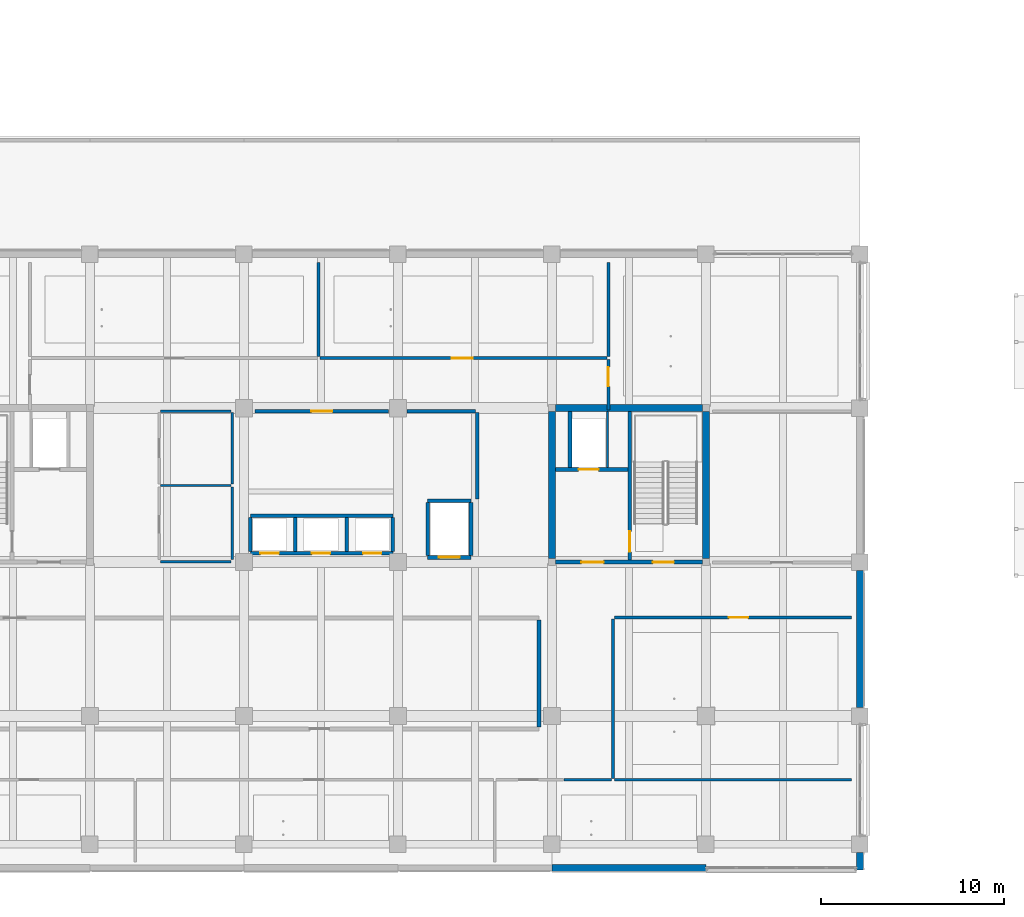
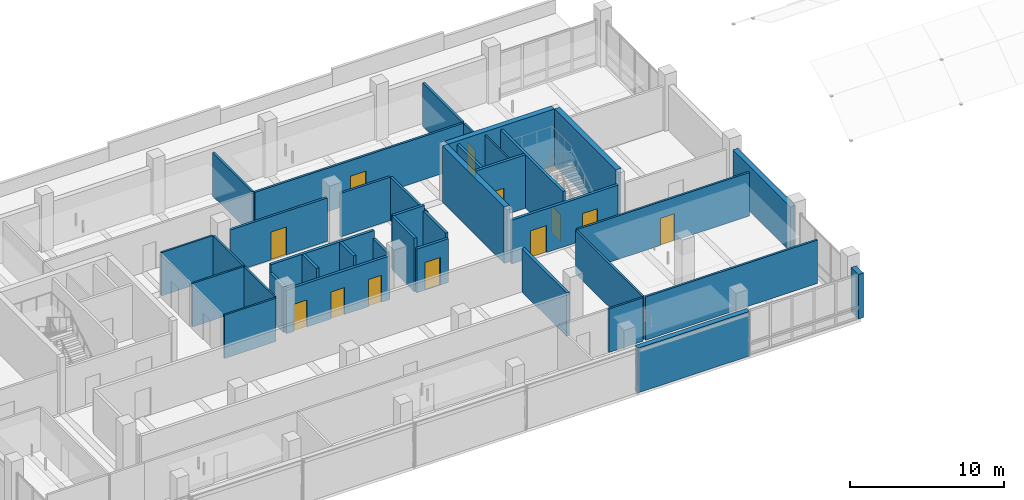
# One storey, part 22 of 59: 38 walls, 12 doors, 12 openings.
"""IFC4 building model written with IfcOpenShell, lengths in metres."""

from ifc_helpers import new_model, si_unit, direction, frame, frame_2d, origin, place, context, subcontext, project, spatial, rectangle, extrude, material, layer, layer_set, type_object, element, fill, save


model = new_model("IFC4")

# Units and contexts
model_context = context("Model", 3, precision=1e-05, world=origin(), true_north=direction((0.0, 1.0)))
body_context = subcontext(model_context, "Body", "Model", "MODEL_VIEW")
ifc_project = project(units=[si_unit("LENGTHUNIT", "METRE"), si_unit("AREAUNIT", "SQUARE_METRE"), si_unit("VOLUMEUNIT", "CUBIC_METRE"), si_unit("PLANEANGLEUNIT", "RADIAN"), si_unit("MASSUNIT", "GRAM", prefix="KILO")], contexts=[model_context])

# Site, building, storey
site_placement = place(None, origin())
site = spatial("IfcSite", under=ifc_project, at=site_placement, CompositionType="ELEMENT")
building_placement = place(site_placement, origin())
building = spatial("IfcBuilding", under=site, at=building_placement, Name="Telukmera Botanical Conservatory", CompositionType="ELEMENT")
storey_placement = place(building_placement, frame((0.0, 0.0, 15.0)))
storey = spatial("IfcBuildingStorey", under=building, at=storey_placement, Name="L03", CompositionType="ELEMENT", Elevation=15.0)

# Walls
ifc_material_1 = material(Name="Terracotta-faced precast concrete C40/50", Category="masonry")
ifc_layer_1 = layer(ifc_material_1, 0.3798828125)
ifc_layer_set_1 = layer_set([ifc_layer_1], Name="Terracotta-faced precast concrete C40/50")
wall_type_1 = type_object("IfcWallType", Name="Exterior Herbarium Vault Insulated Precast Wall 380", PredefinedType="SOLIDWALL", material=ifc_layer_set_1)
wall_1_placement = place(storey_placement, frame((109.199951171875, 9.199951171875, 0.0), z_axis=(0.0, 0.0, 1.0), x_axis=(0.0, 1.0, 0.0)))
element("IfcWall", 1, at=wall_1_placement, inside=storey, type_object=wall_type_1, Name="Exterior Precast Wall EW04 V4:L03:SEC", PredefinedType="SOLIDWALL", context=body_context, shape_type="SweptSolid", body=[
    extrude(rectangle(XDim=0.947998046875, YDim=0.3798828125, at=frame_2d((0.47412109375, 0.0))), origin(), (0.0, 0.0, 1.0), 3.550048828125),
])
wall_2_placement = place(storey_placement, frame((92.402099609375, 9.320068359375, 0.0), z_axis=(0.0, 0.0, 1.0), x_axis=(1.0, 0.0, 0.0)))
element("IfcWall", 2, at=wall_2_placement, inside=storey, type_object=wall_type_1, Name="Exterior Precast Wall EW04 V4:L03:S6", PredefinedType="SOLIDWALL", context=body_context, shape_type="SweptSolid", body=[
    extrude(rectangle(XDim=8.39599609375, YDim=0.3798828125, at=frame_2d((4.197998046875, 0.0))), origin(), (0.0, 0.0, 1.0), 3.550048828125),
])
wall_3_placement = place(storey_placement, frame((109.199951171875, 18.052001953125, 0.0), z_axis=(0.0, 0.0, 1.0), x_axis=(0.0, 1.0, 0.0)))
element("IfcWall", 3, at=wall_3_placement, inside=storey, type_object=wall_type_1, Name="Exterior Precast Wall EW04 V4:L03:E2", PredefinedType="SOLIDWALL", context=body_context, shape_type="SweptSolid", body=[
    extrude(rectangle(XDim=7.49609375, YDim=0.3798828125, at=frame_2d((3.748046875, 0.0))), origin(), (0.0, 0.0, 1.0), 3.550048828125),
])

# Wall, openings, doors
ifc_material_2 = material(Name="Concrete C40/50", Category="concrete")
ifc_layer_2 = layer(ifc_material_2, 0.199951171875)
ifc_layer_set_2 = layer_set([ifc_layer_2], Name="Concrete C40/50")
wall_type_2 = type_object("IfcWallType", Name="WT-CORE-200", PredefinedType="SOLIDWALL", material=ifc_layer_set_2)
wall_4_placement = place(storey_placement, frame((92.60009765625, 26.0, 0.0), z_axis=(0.0, 0.0, 1.0), x_axis=(1.0, 0.0, 0.0)))
wall_4 = element("IfcWall", 4, at=wall_4_placement, inside=storey, type_object=wall_type_2, Name="L03 Core C2 South Fire Wall", PredefinedType="SOLIDWALL", context=body_context, shape_type="SweptSolid", body=[
    extrude(rectangle(XDim=8.0, YDim=0.199951171875, at=frame_2d((4.0, 0.0))), origin(), (0.0, 0.0, 1.0), 3.47998046875),
])
opening_1_placement = place(wall_4_placement, frame((1.39990234375, 0.0, 0.0)))
opening_1 = element("IfcOpeningElement", 5, at=opening_1_placement, cuts=wall_4, Name="Opening FD60C", PredefinedType="OPENING", context=body_context, shape_type="SweptSolid", body=[
    extrude(rectangle(XDim=1.219970703125, YDim=2.14990234375, at=frame_2d((0.60986328125, 1.074951171875))), frame((0.0, 0.10986328125, 0.0), z_axis=(0.0, -1.0, 0.0), x_axis=(1.0, 0.0, 0.0)), (0.0, 0.0, 1.0), 0.219970703125),
])
opening_2_placement = place(wall_4_placement, frame((5.300048828125, 0.0, 0.0)))
opening_2 = element("IfcOpeningElement", 6, at=opening_2_placement, cuts=wall_4, Name="Opening FD60A", PredefinedType="OPENING", context=body_context, shape_type="SweptSolid", body=[
    extrude(rectangle(XDim=1.14990234375, YDim=2.14990234375, at=frame_2d((0.574951171875, 1.074951171875))), frame((0.0, 0.10986328125, 0.0), z_axis=(0.0, -1.0, 0.0), x_axis=(1.0, 0.0, 0.0)), (0.0, 0.0, 1.0), 0.219970703125),
])
ifc_material_3 = material(Name="Hardwood fire door", Category="wood")
door_type_1 = type_object("IfcDoorType", Name="DT-FD60-01", OperationType="NOTDEFINED", PredefinedType="DOOR", material=ifc_material_3)
door_1_placement = place(opening_2_placement, origin())
door_1 = element("IfcDoor", 7, at=door_1_placement, inside=storey, type_object=door_type_1, Name="L03 Stair ST2 Escape Door", OperationType="SINGLE_SWING_RIGHT", OverallHeight=2.14990234375, OverallWidth=1.14990234375, PredefinedType="DOOR", context=body_context, shape_type="SweptSolid", body=[
    extrude(rectangle(XDim=1.14990234375, YDim=2.14990234375, at=frame_2d((0.574951171875, 1.074951171875))), frame((0.0, 0.02490234375, 0.0), z_axis=(0.0, -1.0, 0.0), x_axis=(1.0, 0.0, 0.0)), (0.0, 0.0, 1.0), 0.050048828125),
])
fill(opening_2, door_1)
door_type_2 = type_object("IfcDoorType", Name="DT-FD60-03", OperationType="NOTDEFINED", PredefinedType="DOOR", material=ifc_material_3)
door_2_placement = place(opening_1_placement, origin())
door_2 = element("IfcDoor", 8, at=door_2_placement, inside=storey, type_object=door_type_2, Name="L03 Firefighting Lobby C2 Door", OperationType="SINGLE_SWING_LEFT", OverallHeight=2.14990234375, OverallWidth=1.219970703125, PredefinedType="DOOR", context=body_context, shape_type="SweptSolid", body=[
    extrude(rectangle(XDim=1.219970703125, YDim=2.14990234375, at=frame_2d((0.60986328125, 1.074951171875))), frame((0.0, 0.02490234375, 0.0), z_axis=(0.0, -1.0, 0.0), x_axis=(1.0, 0.0, 0.0)), (0.0, 0.0, 1.0), 0.050048828125),
])
fill(opening_1, door_2)

# Wall, opening, door
wall_5_placement = place(storey_placement, frame((96.64990234375, 26.10009765625, 0.0), z_axis=(0.0, 0.0, 1.0), x_axis=(0.0, 1.0, 0.0)))
wall_5 = element("IfcWall", 9, at=wall_5_placement, inside=storey, type_object=wall_type_2, Name="L03 Core C2 Stair-Lobby Wall", PredefinedType="SOLIDWALL", context=body_context, shape_type="SweptSolid", body=[
    extrude(rectangle(XDim=8.099853515625, YDim=0.199951171875, at=frame_2d((4.0498046875, 0.0))), origin(), (0.0, 0.0, 1.0), 4.25),
])
opening_3_placement = place(wall_5_placement, frame((0.449951171875, 0.0, 0.0)))
opening_3 = element("IfcOpeningElement", 10, at=opening_3_placement, cuts=wall_5, Name="Opening FD60B", PredefinedType="OPENING", context=body_context, shape_type="SweptSolid", body=[
    extrude(rectangle(XDim=1.1201171875, YDim=2.14990234375, at=frame_2d((0.56005859375, 1.074951171875))), frame((0.0, 0.10986328125, 0.0), z_axis=(0.0, -1.0, 0.0), x_axis=(1.0, 0.0, 0.0)), (0.0, 0.0, 1.0), 0.219970703125),
])
door_type_3 = type_object("IfcDoorType", Name="DT-FD60-02", OperationType="NOTDEFINED", PredefinedType="DOOR", material=ifc_material_3)
door_3_placement = place(opening_3_placement, frame((1.1201171875, 0.0, 0.0), z_axis=(0.0, 0.0, 1.0), x_axis=(-1.0, 0.0, 0.0)))
door_3 = element("IfcDoor", 11, at=door_3_placement, inside=storey, type_object=door_type_3, Name="L03 Firefighting Lobby C2 to ST2 Door", OperationType="SINGLE_SWING_LEFT", OverallHeight=2.14990234375, OverallWidth=1.1201171875, PredefinedType="DOOR", context=body_context, shape_type="SweptSolid", body=[
    extrude(rectangle(XDim=1.1201171875, YDim=2.14990234375, at=frame_2d((0.56005859375, 1.074951171875))), frame((0.0, 0.02490234375, 0.0), z_axis=(0.0, -1.0, 0.0), x_axis=(1.0, 0.0, 0.0)), (0.0, 0.0, 1.0), 0.050048828125),
])
fill(opening_3, door_3)

wall_6_placement = place(storey_placement, frame((92.60009765625, 31.050048828125, 0.0), z_axis=(0.0, 0.0, 1.0), x_axis=(1.0, 0.0, 0.0)))
wall_6 = element("IfcWall", 12, at=wall_6_placement, inside=storey, type_object=wall_type_2, Name="L03 Fire Lift FL2 Shaft Front Wall", PredefinedType="SOLIDWALL", context=body_context, shape_type="SweptSolid", body=[
    extrude(rectangle(XDim=3.949951171875, YDim=0.199951171875, at=frame_2d((1.97509765625, 0.0))), origin(), (0.0, 0.0, 1.0), 4.25),
])
opening_4_placement = place(wall_6_placement, frame((1.25, 0.0, 0.0)))
opening_4 = element("IfcOpeningElement", 13, at=opening_4_placement, cuts=wall_6, Name="Opening LD01", PredefinedType="OPENING", context=body_context, shape_type="SweptSolid", body=[
    extrude(rectangle(XDim=1.10009765625, YDim=2.14990234375, at=frame_2d((0.550048828125, 1.074951171875))), frame((0.0, 0.10986328125, 0.0), z_axis=(0.0, -1.0, 0.0), x_axis=(1.0, 0.0, 0.0)), (0.0, 0.0, 1.0), 0.219970703125),
])
ifc_material_4 = material(Name="Stainless steel 316", Category="steel")
door_type_4 = type_object("IfcDoorType", Name="DT-LD01", OperationType="SLIDING_TO_LEFT", PredefinedType="DOOR", material=ifc_material_4)
door_4_placement = place(opening_4_placement, frame((1.10009765625, 0.0, 0.0), z_axis=(0.0, 0.0, 1.0), x_axis=(-1.0, 0.0, 0.0)))
door_4 = element("IfcDoor", 14, at=door_4_placement, inside=storey, type_object=door_type_4, Name="L03 Lift Landing Door FL2", OperationType="SLIDING_TO_LEFT", OverallHeight=2.14990234375, OverallWidth=1.10009765625, PredefinedType="DOOR", context=body_context, shape_type="SweptSolid", body=[
    extrude(rectangle(XDim=1.10009765625, YDim=2.14990234375, at=frame_2d((0.550048828125, 1.074951171875))), frame((0.0, 0.02490234375, 0.0), z_axis=(0.0, -1.0, 0.0), x_axis=(1.0, 0.0, 0.0)), (0.0, 0.0, 1.0), 0.050048828125),
])
fill(opening_4, door_4)

# Wall
wall_7_placement = place(storey_placement, frame((93.3798828125, 31.14990234375, 0.0), z_axis=(0.0, 0.0, 1.0), x_axis=(0.0, 1.0, 0.0)))
element("IfcWall", 15, at=wall_7_placement, inside=storey, type_object=wall_type_2, Name="L03 Fire Lift FL2 Shaft West Wall", PredefinedType="SOLIDWALL", context=body_context, shape_type="SweptSolid", body=[
    extrude(rectangle(XDim=3.050048828125, YDim=0.199951171875, at=frame_2d((1.52490234375, 0.0))), origin(), (0.0, 0.0, 1.0), 4.25),
])

# Wall, openings, doors
wall_8_placement = place(storey_placement, frame((75.949951171875, 26.47998046875, 0.0), z_axis=(0.0, 0.0, 1.0), x_axis=(1.0, 0.0, 0.0)))
wall_8 = element("IfcWall", 16, at=wall_8_placement, inside=storey, type_object=wall_type_2, Name="L03 Passenger Lift Bank Front Wall", PredefinedType="SOLIDWALL", context=body_context, shape_type="SweptSolid", body=[
    extrude(rectangle(XDim=7.77001953125, YDim=0.199951171875, at=frame_2d((3.885009765625, 0.0))), origin(), (0.0, 0.0, 1.0), 3.47998046875),
])
opening_5_placement = place(wall_8_placement, frame((0.550048828125, 0.0, 0.0)))
opening_5 = element("IfcOpeningElement", 17, at=opening_5_placement, cuts=wall_8, Name="Opening LD03", PredefinedType="OPENING", context=body_context, shape_type="SweptSolid", body=[
    extrude(rectangle(XDim=1.0, YDim=2.14990234375, at=frame_2d((0.5, 1.074951171875))), frame((0.0, 0.10986328125, 0.0), z_axis=(0.0, -1.0, 0.0), x_axis=(1.0, 0.0, 0.0)), (0.0, 0.0, 1.0), 0.219970703125),
])
opening_6_placement = place(wall_8_placement, frame((3.35009765625, 0.0, 0.0)))
opening_6 = element("IfcOpeningElement", 18, at=opening_6_placement, cuts=wall_8, Name="Opening LD03", PredefinedType="OPENING", context=body_context, shape_type="SweptSolid", body=[
    extrude(rectangle(XDim=1.0, YDim=2.14990234375, at=frame_2d((0.5, 1.074951171875))), frame((0.0, 0.10986328125, 0.0), z_axis=(0.0, -1.0, 0.0), x_axis=(1.0, 0.0, 0.0)), (0.0, 0.0, 1.0), 0.219970703125),
])
opening_7_placement = place(wall_8_placement, frame((6.14990234375, 0.0, 0.0)))
opening_7 = element("IfcOpeningElement", 19, at=opening_7_placement, cuts=wall_8, Name="Opening LD03", PredefinedType="OPENING", context=body_context, shape_type="SweptSolid", body=[
    extrude(rectangle(XDim=1.0, YDim=2.14990234375, at=frame_2d((0.5, 1.074951171875))), frame((0.0, 0.10986328125, 0.0), z_axis=(0.0, -1.0, 0.0), x_axis=(1.0, 0.0, 0.0)), (0.0, 0.0, 1.0), 0.219970703125),
])
door_type_5 = type_object("IfcDoorType", Name="DT-LD03", OperationType="SLIDING_TO_LEFT", PredefinedType="DOOR", material=ifc_material_4)
door_5_placement = place(opening_5_placement, frame((1.0, 0.0, 0.0), z_axis=(0.0, 0.0, 1.0), x_axis=(-1.0, 0.0, 0.0)))
door_5 = element("IfcDoor", 20, at=door_5_placement, inside=storey, type_object=door_type_5, Name="L03 Lift Landing Door PL1", OperationType="SLIDING_TO_LEFT", OverallHeight=2.14990234375, OverallWidth=1.0, PredefinedType="DOOR", context=body_context, shape_type="SweptSolid", body=[
    extrude(rectangle(XDim=1.0, YDim=2.14990234375, at=frame_2d((0.5, 1.074951171875))), frame((0.0, 0.02490234375, 0.0), z_axis=(0.0, -1.0, 0.0), x_axis=(1.0, 0.0, 0.0)), (0.0, 0.0, 1.0), 0.050048828125),
])
fill(opening_5, door_5)
door_6_placement = place(opening_6_placement, frame((1.0, 0.0, 0.0), z_axis=(0.0, 0.0, 1.0), x_axis=(-1.0, 0.0, 0.0)))
door_6 = element("IfcDoor", 21, at=door_6_placement, inside=storey, type_object=door_type_5, Name="L03 Lift Landing Door PL2", OperationType="SLIDING_TO_LEFT", OverallHeight=2.14990234375, OverallWidth=1.0, PredefinedType="DOOR", context=body_context, shape_type="SweptSolid", body=[
    extrude(rectangle(XDim=1.0, YDim=2.14990234375, at=frame_2d((0.5, 1.074951171875))), frame((0.0, 0.02490234375, 0.0), z_axis=(0.0, -1.0, 0.0), x_axis=(1.0, 0.0, 0.0)), (0.0, 0.0, 1.0), 0.050048828125),
])
fill(opening_6, door_6)
door_7_placement = place(opening_7_placement, frame((1.0, 0.0, 0.0), z_axis=(0.0, 0.0, 1.0), x_axis=(-1.0, 0.0, 0.0)))
door_7 = element("IfcDoor", 22, at=door_7_placement, inside=storey, type_object=door_type_5, Name="L03 Lift Landing Door PL3", OperationType="SLIDING_TO_LEFT", OverallHeight=2.14990234375, OverallWidth=1.0, PredefinedType="DOOR", context=body_context, shape_type="SweptSolid", body=[
    extrude(rectangle(XDim=1.0, YDim=2.14990234375, at=frame_2d((0.5, 1.074951171875))), frame((0.0, 0.02490234375, 0.0), z_axis=(0.0, -1.0, 0.0), x_axis=(1.0, 0.0, 0.0)), (0.0, 0.0, 1.0), 0.050048828125),
])
fill(opening_7, door_7)

# Walls
wall_9_placement = place(storey_placement, frame((75.949951171875, 28.52001953125, 0.0), z_axis=(0.0, 0.0, 1.0), x_axis=(1.0, 0.0, 0.0)))
element("IfcWall", 23, at=wall_9_placement, inside=storey, type_object=wall_type_2, Name="L03 Passenger Lift Bank Rear Wall", PredefinedType="SOLIDWALL", context=body_context, shape_type="SweptSolid", body=[
    extrude(rectangle(XDim=7.77001953125, YDim=0.199951171875, at=frame_2d((3.885009765625, 0.0))), origin(), (0.0, 0.0, 1.0), 4.25),
])
wall_10_placement = place(storey_placement, frame((75.949951171875, 26.580078125, 0.0), z_axis=(0.0, 0.0, 1.0), x_axis=(0.0, 1.0, 0.0)))
element("IfcWall", 24, at=wall_10_placement, inside=storey, type_object=wall_type_2, Name="L03 Passenger Lift Shaft Wall 1", PredefinedType="SOLIDWALL", context=body_context, shape_type="SweptSolid", body=[
    extrude(rectangle(XDim=1.83984375, YDim=0.199951171875, at=frame_2d((0.919921875, 0.0))), origin(), (0.0, 0.0, 1.0), 3.6298828125),
])
for number, where, z_axis, x_axis, name in (
    (25, (78.39990234375, 26.580078125, 0.0), (0.0, 0.0, 1.0), (0.0, 1.0, 0.0), "L03 Passenger Lift Shaft Wall 2"),
    (26, (81.199951171875, 26.580078125, 0.0), (0.0, 0.0, 1.0), (0.0, 1.0, 0.0), "L03 Passenger Lift Shaft Wall 3"),
):
    element("IfcWall", number, at=place(storey_placement, frame(where, z_axis=z_axis, x_axis=x_axis)), inside=storey, type_object=wall_type_2, Name=name, PredefinedType="SOLIDWALL", context=body_context, shape_type="SweptSolid", body=[
        extrude(rectangle(XDim=1.83984375, YDim=0.199951171875, at=frame_2d((0.919921875, 0.0))), origin(), (0.0, 0.0, 1.0), 4.25),
    ])
wall_11_placement = place(storey_placement, frame((83.719970703125, 26.580078125, 0.0), z_axis=(0.0, 0.0, 1.0), x_axis=(0.0, 1.0, 0.0)))
element("IfcWall", 27, at=wall_11_placement, inside=storey, type_object=wall_type_2, Name="L03 Passenger Lift Shaft Wall 4", PredefinedType="SOLIDWALL", context=body_context, shape_type="SweptSolid", body=[
    extrude(rectangle(XDim=1.83984375, YDim=0.199951171875, at=frame_2d((0.919921875, 0.0))), origin(), (0.0, 0.0, 1.0), 3.6298828125),
])

# Wall, opening, door
wall_12_placement = place(storey_placement, frame((85.6201171875, 26.25, 0.0), z_axis=(0.0, 0.0, 1.0), x_axis=(1.0, 0.0, 0.0)))
wall_12 = element("IfcWall", 28, at=wall_12_placement, inside=storey, type_object=wall_type_2, Name="L03 Goods Lift GL1 Front Wall", PredefinedType="SOLIDWALL", context=body_context, shape_type="SweptSolid", body=[
    extrude(rectangle(XDim=2.35986328125, YDim=0.199951171875, at=frame_2d((1.179931640625, 0.0))), origin(), (0.0, 0.0, 1.0), 3.47998046875),
])
opening_8_placement = place(wall_12_placement, frame((0.60498046875, 0.0, 0.0)))
opening_8 = element("IfcOpeningElement", 29, at=opening_8_placement, cuts=wall_12, Name="Opening LD02", PredefinedType="OPENING", context=body_context, shape_type="SweptSolid", body=[
    extrude(rectangle(XDim=1.14990234375, YDim=2.199951171875, at=frame_2d((0.574951171875, 1.10009765625))), frame((0.0, 0.10986328125, 0.0), z_axis=(0.0, -1.0, 0.0), x_axis=(1.0, 0.0, 0.0)), (0.0, 0.0, 1.0), 0.219970703125),
])
door_type_6 = type_object("IfcDoorType", Name="DT-LD02", OperationType="SLIDING_TO_LEFT", PredefinedType="DOOR", material=ifc_material_4)
door_8_placement = place(opening_8_placement, frame((1.14990234375, 0.0, 0.0), z_axis=(0.0, 0.0, 1.0), x_axis=(-1.0, 0.0, 0.0)))
door_8 = element("IfcDoor", 30, at=door_8_placement, inside=storey, type_object=door_type_6, Name="L03 Lift Landing Door GL1", OperationType="SLIDING_TO_LEFT", OverallHeight=2.199951171875, OverallWidth=1.14990234375, PredefinedType="DOOR", context=body_context, shape_type="SweptSolid", body=[
    extrude(rectangle(XDim=1.14990234375, YDim=2.199951171875, at=frame_2d((0.574951171875, 1.10009765625))), frame((0.0, 0.02490234375, 0.0), z_axis=(0.0, -1.0, 0.0), x_axis=(1.0, 0.0, 0.0)), (0.0, 0.0, 1.0), 0.050048828125),
])
fill(opening_8, door_8)

# Walls
wall_13_placement = place(storey_placement, frame((85.6201171875, 29.35009765625, 0.0), z_axis=(0.0, 0.0, 1.0), x_axis=(1.0, 0.0, 0.0)))
element("IfcWall", 31, at=wall_13_placement, inside=storey, type_object=wall_type_2, Name="L03 Goods Lift GL1 Rear Wall", PredefinedType="SOLIDWALL", context=body_context, shape_type="SweptSolid", body=[
    extrude(rectangle(XDim=2.35986328125, YDim=0.199951171875, at=frame_2d((1.179931640625, 0.0))), origin(), (0.0, 0.0, 1.0), 4.25),
])
wall_14_placement = place(storey_placement, frame((85.6201171875, 26.35009765625, 0.0), z_axis=(0.0, 0.0, 1.0), x_axis=(0.0, 1.0, 0.0)))
element("IfcWall", 32, at=wall_14_placement, inside=storey, type_object=wall_type_2, Name="L03 Goods Lift GL1 Side Wall 1", PredefinedType="SOLIDWALL", context=body_context, shape_type="SweptSolid", body=[
    extrude(rectangle(XDim=2.89990234375, YDim=0.199951171875, at=frame_2d((1.449951171875, 0.0))), origin(), (0.0, 0.0, 1.0), 4.25),
])
wall_15_placement = place(storey_placement, frame((87.97998046875, 26.35009765625, 0.0), z_axis=(0.0, 0.0, 1.0), x_axis=(0.0, 1.0, 0.0)))
element("IfcWall", 33, at=wall_15_placement, inside=storey, type_object=wall_type_2, Name="L03 Goods Lift GL1 Side Wall 2", PredefinedType="SOLIDWALL", context=body_context, shape_type="SweptSolid", body=[
    extrude(rectangle(XDim=2.89990234375, YDim=0.199951171875, at=frame_2d((1.449951171875, 0.0))), origin(), (0.0, 0.0, 1.0), 3.830078125),
])

# Wall, opening, door
ifc_material_5 = material(Name="Gypsum acoustic stud partition")
ifc_layer_3 = layer(ifc_material_5, 0.159912109375)
ifc_layer_set_3 = layer_set([ifc_layer_3], Name="Gypsum acoustic stud partition")
wall_type_3 = type_object("IfcWallType", Name="WT-LAB-160", PredefinedType="PARTITIONING", material=ifc_layer_set_3)
wall_16_placement = place(storey_placement, frame((79.75, 37.125, 0.0), z_axis=(0.0, 0.0, 1.0), x_axis=(1.0, 0.0, 0.0)))
wall_16 = element("IfcWall", 34, at=wall_16_placement, inside=storey, type_object=wall_type_3, Name="L03 Interior Partition 35", PredefinedType="PARTITIONING", context=body_context, shape_type="SweptSolid", body=[
    extrude(rectangle(XDim=15.64990234375, YDim=0.159912109375, at=frame_2d((7.824951171875, 0.0))), origin(), (0.0, 0.0, 1.0), 3.449951171875),
])
opening_9_placement = place(wall_16_placement, frame((7.1796875, 0.0, 0.0)))
opening_9 = element("IfcOpeningElement", 35, at=opening_9_placement, cuts=wall_16, Name="Opening ID10", PredefinedType="OPENING", context=body_context, shape_type="SweptSolid", body=[
    extrude(rectangle(XDim=1.139892578125, YDim=2.219970703125, at=frame_2d((0.56982421875, 1.10986328125))), frame((0.0, 0.08984375, 0.0), z_axis=(0.0, -1.0, 0.0), x_axis=(1.0, 0.0, 0.0)), (0.0, 0.0, 1.0), 0.179931640625),
])
ifc_material_6 = material(Name="Sealed steel herbarium door", Category="steel")
door_type_7 = type_object("IfcDoorType", Name="DT-HERB-114", OperationType="NOTDEFINED", PredefinedType="DOOR", material=ifc_material_6)
door_9_placement = place(opening_9_placement, origin())
door_9 = element("IfcDoor", 36, at=door_9_placement, inside=storey, type_object=door_type_7, Name="L03 Botanical Illustration Archive Door", OperationType="SINGLE_SWING_LEFT", OverallHeight=2.219970703125, OverallWidth=1.139892578125, PredefinedType="DOOR", context=body_context, shape_type="SweptSolid", body=[
    extrude(rectangle(XDim=1.139892578125, YDim=2.219970703125, at=frame_2d((0.56982421875, 1.10986328125))), frame((0.0, 0.02490234375, 0.0), z_axis=(0.0, -1.0, 0.0), x_axis=(1.0, 0.0, 0.0)), (0.0, 0.0, 1.0), 0.050048828125),
])
fill(opening_9, door_9)

wall_17_placement = place(storey_placement, frame((95.47509765625, 34.300048828125, 0.0), z_axis=(0.0, 0.0, 1.0), x_axis=(0.0, 1.0, 0.0)))
wall_17 = element("IfcWall", 37, at=wall_17_placement, inside=storey, type_object=wall_type_3, Name="L03 Interior Partition 36", PredefinedType="PARTITIONING", context=body_context, shape_type="SweptSolid", body=[
    extrude(rectangle(XDim=2.73486328125, YDim=0.159912109375, at=frame_2d((1.367431640625, 0.0))), origin(), (0.0, 0.0, 1.0), 3.449951171875),
])
opening_10_placement = place(wall_17_placement, frame((1.278076171875, 0.0, 0.0)))
opening_10 = element("IfcOpeningElement", 38, at=opening_10_placement, cuts=wall_17, Name="Opening ID12", PredefinedType="OPENING", context=body_context, shape_type="SweptSolid", body=[
    extrude(rectangle(XDim=1.06005859375, YDim=2.179931640625, at=frame_2d((0.530029296875, 1.08984375))), frame((0.0, 0.08984375, 0.0), z_axis=(0.0, -1.0, 0.0), x_axis=(1.0, 0.0, 0.0)), (0.0, 0.0, 1.0), 0.179931640625),
])
ifc_material_7 = material(Name="Light-tight microscopy door")
door_type_8 = type_object("IfcDoorType", Name="DT-MIC-106", OperationType="NOTDEFINED", PredefinedType="DOOR", material=ifc_material_7)
door_10_placement = place(opening_10_placement, frame((1.06005859375, 0.0, 0.0), z_axis=(0.0, 0.0, 1.0), x_axis=(-1.0, 0.0, 0.0)))
door_10 = element("IfcDoor", 39, at=door_10_placement, inside=storey, type_object=door_type_8, Name="L03 Palynology Microscopy Laboratory Door", OperationType="SINGLE_SWING_RIGHT", OverallHeight=2.179931640625, OverallWidth=1.06005859375, PredefinedType="DOOR", context=body_context, shape_type="SweptSolid", body=[
    extrude(rectangle(XDim=1.06005859375, YDim=2.179931640625, at=frame_2d((0.530029296875, 1.08984375))), frame((0.0, 0.02490234375, 0.0), z_axis=(0.0, -1.0, 0.0), x_axis=(1.0, 0.0, 0.0)), (0.0, 0.0, 1.0), 0.050048828125),
])
fill(opening_10, door_10)

# Walls
for number, where, z_axis, x_axis, name in (
    (40, (79.675048828125, 37.215087890625, 0.0), (0.0, 0.0, 1.0), (0.0, 1.0, 0.0), "L03 Interior Partition 38"),
    (41, (95.47509765625, 37.215087890625, 0.0), (0.0, 0.0, 1.0), (0.0, 1.0, 0.0), "L03 Interior Partition 39"),
):
    element("IfcWall", number, at=place(storey_placement, frame(where, z_axis=z_axis, x_axis=x_axis)), inside=storey, type_object=wall_type_3, Name=name, PredefinedType="PARTITIONING", context=body_context, shape_type="SweptSolid", body=[
        extrude(rectangle(XDim=5.135009765625, YDim=0.159912109375, at=frame_2d((2.5673828125, 0.0))), origin(), (0.0, 0.0, 1.0), 3.449951171875),
    ])
ifc_material_8 = material(Name="Blockwork masonry", Category="masonry")
ifc_layer_4 = layer(ifc_material_8, 0.169921875)
ifc_layer_set_4 = layer_set([ifc_layer_4], Name="Blockwork masonry")
wall_type_4 = type_object("IfcWallType", Name="WT-PLANT-170", PredefinedType="PARTITIONING", material=ifc_layer_set_4)
wall_18_placement = place(storey_placement, frame((88.324951171875, 29.449951171875, 0.0), z_axis=(0.0, 0.0, 1.0), x_axis=(0.0, 1.0, 0.0)))
element("IfcWall", 42, at=wall_18_placement, inside=storey, type_object=wall_type_4, Name="L03 Interior Partition 13", PredefinedType="PARTITIONING", context=body_context, shape_type="SweptSolid", body=[
    extrude(rectangle(XDim=4.699951171875, YDim=0.169921875, at=frame_2d((2.35009765625, 0.0))), origin(), (0.0, 0.0, 1.0), 3.449951171875),
])

# Wall, opening, door
wall_19_placement = place(storey_placement, frame((76.199951171875, 34.22509765625, 0.0), z_axis=(0.0, 0.0, 1.0), x_axis=(1.0, 0.0, 0.0)))
wall_19 = element("IfcWall", 43, at=wall_19_placement, inside=storey, type_object=wall_type_4, Name="L03 Interior Partition 14", PredefinedType="PARTITIONING", context=body_context, shape_type="SweptSolid", body=[
    extrude(rectangle(XDim=7.295166015625, YDim=0.169921875, at=frame_2d((3.6474609375, 0.0))), origin(), (0.0, 0.0, 1.0), 3.449951171875),
])
opening_11_placement = place(wall_19_placement, frame((3.077392578125, 0.0, 0.0)))
opening_11 = element("IfcOpeningElement", 44, at=opening_11_placement, cuts=wall_19, Name="Opening ID10", PredefinedType="OPENING", context=body_context, shape_type="SweptSolid", body=[
    extrude(rectangle(XDim=1.139892578125, YDim=2.219970703125, at=frame_2d((0.56982421875, 1.10986328125))), frame((0.0, 0.094970703125, 0.0), z_axis=(0.0, -1.0, 0.0), x_axis=(1.0, 0.0, 0.0)), (0.0, 0.0, 1.0), 0.18994140625),
])
door_11_placement = place(opening_11_placement, frame((1.139892578125, 0.0, 0.0), z_axis=(0.0, 0.0, 1.0), x_axis=(-1.0, 0.0, 0.0)))
door_11 = element("IfcDoor", 45, at=door_11_placement, inside=storey, type_object=door_type_7, Name="L03 Herbarium Pest Quarantine Room Door", OperationType="SINGLE_SWING_LEFT", OverallHeight=2.219970703125, OverallWidth=1.139892578125, PredefinedType="DOOR", context=body_context, shape_type="SweptSolid", body=[
    extrude(rectangle(XDim=1.139892578125, YDim=2.219970703125, at=frame_2d((0.56982421875, 1.10986328125))), frame((0.0, 0.02490234375, 0.0), z_axis=(0.0, -1.0, 0.0), x_axis=(1.0, 0.0, 0.0)), (0.0, 0.0, 1.0), 0.050048828125),
])
fill(opening_11, door_11)

# Walls
wall_20_placement = place(storey_placement, frame((84.5048828125, 34.22509765625, 0.0), z_axis=(0.0, 0.0, 1.0), x_axis=(1.0, 0.0, 0.0)))
element("IfcWall", 46, at=wall_20_placement, inside=storey, type_object=wall_type_4, Name="L03 Interior Partition 15", PredefinedType="PARTITIONING", context=body_context, shape_type="SweptSolid", body=[
    extrude(rectangle(XDim=3.72509765625, YDim=0.169921875, at=frame_2d((1.862548828125, 0.0))), origin(), (0.0, 0.0, 1.0), 3.449951171875),
])
ifc_material_9 = material(Name="Gypsum shaftwall liner")
ifc_layer_5 = layer(ifc_material_9, 0.110107421875)
ifc_layer_set_5 = layer_set([ifc_layer_5], Name="Gypsum shaftwall liner")
wall_type_5 = type_object("IfcWallType", Name="WT-RISER-110", PredefinedType="PARTITIONING", material=ifc_layer_set_5)
wall_21_placement = place(storey_placement, frame((95.419921875, 31.14990234375, 0.0), z_axis=(0.0, 0.0, 1.0), x_axis=(0.0, 1.0, 0.0)))
element("IfcWall", 47, at=wall_21_placement, inside=storey, type_object=wall_type_5, Name="L03 Wet Riser C2 Shaft Wall", PredefinedType="PARTITIONING", context=body_context, shape_type="SweptSolid", body=[
    extrude(rectangle(XDim=3.050048828125, YDim=0.110107421875, at=frame_2d((1.52490234375, 0.0))), origin(), (0.0, 0.0, 1.0), 4.25),
])

# Wall, opening, door
ifc_layer_6 = layer(ifc_material_5, 0.14990234375)
ifc_layer_set_6 = layer_set([ifc_layer_6], Name="Gypsum acoustic stud partition")
wall_type_6 = type_object("IfcWallType", Name="WT-STD-150", PredefinedType="PARTITIONING", material=ifc_layer_set_6)
wall_22_placement = place(storey_placement, frame((95.800048828125, 22.97509765625, 0.0), z_axis=(0.0, 0.0, 1.0), x_axis=(1.0, 0.0, 0.0)))
wall_22 = element("IfcWall", 48, at=wall_22_placement, inside=storey, type_object=wall_type_6, Name="L03 Interior Partition 21", PredefinedType="PARTITIONING", context=body_context, shape_type="SweptSolid", body=[
    extrude(rectangle(XDim=12.949951171875, YDim=0.14990234375, at=frame_2d((6.47509765625, 0.0))), origin(), (0.0, 0.0, 1.0), 3.449951171875),
])
opening_12_placement = place(wall_22_placement, frame((6.25537109375, 0.0, 0.0)))
opening_12 = element("IfcOpeningElement", 49, at=opening_12_placement, cuts=wall_22, Name="Opening ID13", PredefinedType="OPENING", context=body_context, shape_type="SweptSolid", body=[
    extrude(rectangle(XDim=1.0400390625, YDim=2.14990234375, at=frame_2d((0.52001953125, 1.074951171875))), frame((0.0, 0.0849609375, 0.0), z_axis=(0.0, -1.0, 0.0), x_axis=(1.0, 0.0, 0.0)), (0.0, 0.0, 1.0), 0.169921875),
])
ifc_material_10 = material(Name="Hardwood curation studio door", Category="wood")
door_type_9 = type_object("IfcDoorType", Name="DT-CUR-104", OperationType="NOTDEFINED", PredefinedType="DOOR", material=ifc_material_10)
door_12_placement = place(opening_12_placement, frame((1.0400390625, 0.0, 0.0), z_axis=(0.0, 0.0, 1.0), x_axis=(-1.0, 0.0, 0.0)))
door_12 = element("IfcDoor", 50, at=door_12_placement, inside=storey, type_object=door_type_9, Name="L03 East Herbarium Curation Studio Door", OperationType="SINGLE_SWING_LEFT", OverallHeight=2.14990234375, OverallWidth=1.0400390625, PredefinedType="DOOR", context=body_context, shape_type="SweptSolid", body=[
    extrude(rectangle(XDim=1.0400390625, YDim=2.14990234375, at=frame_2d((0.52001953125, 1.074951171875))), frame((0.0, 0.02490234375, 0.0), z_axis=(0.0, -1.0, 0.0), x_axis=(1.0, 0.0, 0.0)), (0.0, 0.0, 1.0), 0.050048828125),
])
fill(opening_12, door_12)

# Walls
wall_23_placement = place(storey_placement, frame((95.72509765625, 14.199951171875, 0.0), z_axis=(0.0, 0.0, 1.0), x_axis=(0.0, 1.0, 0.0)))
element("IfcWall", 51, at=wall_23_placement, inside=storey, type_object=wall_type_6, Name="L03 Interior Partition 24", PredefinedType="PARTITIONING", context=body_context, shape_type="SweptSolid", body=[
    extrude(rectangle(XDim=8.68994140625, YDim=0.14990234375, at=frame_2d((4.344970703125, 0.0))), origin(), (0.0, 0.0, 1.0), 3.449951171875),
])
wall_24_placement = place(storey_placement, frame((93.050048828125, 14.125, 0.0), z_axis=(0.0, 0.0, 1.0), x_axis=(1.0, 0.0, 0.0)))
element("IfcWall", 52, at=wall_24_placement, inside=storey, type_object=wall_type_6, Name="L03 Interior Partition 25", PredefinedType="PARTITIONING", context=body_context, shape_type="SweptSolid", body=[
    extrude(rectangle(XDim=2.58984375, YDim=0.14990234375, at=frame_2d((1.294921875, 0.0))), origin(), (0.0, 0.0, 1.0), 3.449951171875),
])
wall_25_placement = place(storey_placement, frame((95.81005859375, 14.125, 0.0), z_axis=(0.0, 0.0, 1.0), x_axis=(1.0, 0.0, 0.0)))
element("IfcWall", 53, at=wall_25_placement, inside=storey, type_object=wall_type_6, Name="L03 Interior Partition 30", PredefinedType="PARTITIONING", context=body_context, shape_type="SweptSolid", body=[
    extrude(rectangle(XDim=12.93994140625, YDim=0.14990234375, at=frame_2d((6.469970703125, 0.0))), origin(), (0.0, 0.0, 1.0), 3.449951171875),
])
ifc_layer_7 = layer(ifc_material_2, 0.219970703125)
ifc_layer_set_7 = layer_set([ifc_layer_7], Name="Concrete C40/50")
wall_type_7 = type_object("IfcWallType", Name="WT-VAULT-220", PredefinedType="SOLIDWALL", material=ifc_layer_set_7)
wall_26_placement = place(storey_placement, frame((91.699951171875, 17.010009765625, 0.0), z_axis=(0.0, 0.0, 1.0), x_axis=(0.0, 1.0, 0.0)))
element("IfcWall", 54, at=wall_26_placement, inside=storey, type_object=wall_type_7, Name="L03 Herbarium Vault East 2hr Wall", PredefinedType="SOLIDWALL", context=body_context, shape_type="SweptSolid", body=[
    extrude(rectangle(XDim=5.830078125, YDim=0.219970703125, at=frame_2d((2.9150390625, 0.0))), origin(), (0.0, 0.0, 1.0), 3.449951171875),
])
ifc_material_11 = material(Name="Moisture-resistant blockwork", Category="masonry")
ifc_layer_8 = layer(ifc_material_11, 0.135009765625)
ifc_layer_set_8 = layer_set([ifc_layer_8], Name="Moisture-resistant blockwork")
wall_type_8 = type_object("IfcWallType", Name="WT-WC-135", PredefinedType="PARTITIONING", material=ifc_layer_set_8)
for number, where, z_axis, x_axis, name in (
    (55, (71.050048828125, 30.175048828125, 0.0), (0.0, 0.0, 1.0), (1.0, 0.0, 0.0), "L03 Interior Partition 10"),
    (56, (71.050048828125, 26.02490234375, 0.0), (0.0, 0.0, 1.0), (1.0, 0.0, 0.0), "L03 Interior Partition 11"),
    (57, (71.050048828125, 34.22509765625, 0.0), (0.0, 0.0, 1.0), (1.0, 0.0, 0.0), "L03 Interior Partition 12"),
):
    element("IfcWall", number, at=place(storey_placement, frame(where, z_axis=z_axis, x_axis=x_axis)), inside=storey, type_object=wall_type_8, Name=name, PredefinedType="PARTITIONING", context=body_context, shape_type="SweptSolid", body=[
        extrude(rectangle(XDim=3.849853515625, YDim=0.135009765625, at=frame_2d((1.9248046875, 0.0))), origin(), (0.0, 0.0, 1.0), 3.449951171875),
    ])
wall_27_placement = place(storey_placement, frame((74.967529296875, 26.14990234375, 0.0), z_axis=(0.0, 0.0, 1.0), x_axis=(0.0, 1.0, 0.0)))
element("IfcWall", 58, at=wall_27_placement, inside=storey, type_object=wall_type_8, Name="L03 WC Enclosure Partition 02", PredefinedType="PARTITIONING", context=body_context, shape_type="SweptSolid", body=[
    extrude(rectangle(XDim=3.947509765625, YDim=0.135009765625, at=frame_2d((1.9736328125, 0.0))), origin(), (0.0, 0.0, 1.0), 3.449951171875),
])
wall_28_placement = place(storey_placement, frame((74.967529296875, 30.25244140625, 0.0), z_axis=(0.0, 0.0, 1.0), x_axis=(0.0, 1.0, 0.0)))
element("IfcWall", 59, at=wall_28_placement, inside=storey, type_object=wall_type_8, Name="L03 WC Enclosure Partition 03", PredefinedType="PARTITIONING", context=body_context, shape_type="SweptSolid", body=[
    extrude(rectangle(XDim=3.89501953125, YDim=0.135009765625, at=frame_2d((1.947509765625, 0.0))), origin(), (0.0, 0.0, 1.0), 3.449951171875),
])
ifc_material_12 = material(Name="Concrete C50/60", Category="concrete")
ifc_layer_9 = layer(ifc_material_12, 0.39990234375)
ifc_layer_set_9 = layer_set([ifc_layer_9], Name="Concrete C50/60")
wall_type_9 = type_object("IfcWallType", Name="Wall_CW1", PredefinedType="SHEAR", material=ifc_layer_set_9)
for number, where, z_axis, x_axis, name in (
    (60, (92.39990234375, 26.199951171875, 0.0), (0.0, 0.0, 1.0), (0.0, 1.0, 0.0), "Core C2 Shear Wall West L03"),
    (61, (100.800048828125, 26.199951171875, 0.0), (0.0, 0.0, 1.0), (0.0, 1.0, 0.0), "Core C2 Shear Wall East L03"),
    (62, (92.60009765625, 34.39990234375, 0.0), (0.0, 0.0, 1.0), (1.0, 0.0, 0.0), "Core C2 Shear Wall North L03"),
):
    element("IfcWall", number, at=place(storey_placement, frame(where, z_axis=z_axis, x_axis=x_axis)), inside=storey, type_object=wall_type_9, Name=name, PredefinedType="SHEAR", context=body_context, shape_type="SweptSolid", body=[
        extrude(rectangle(XDim=8.0, YDim=0.39990234375, at=frame_2d((4.0, 0.0))), origin(), (0.0, 0.0, 1.0), 4.5),
    ])

save(model, "model.ifc")
